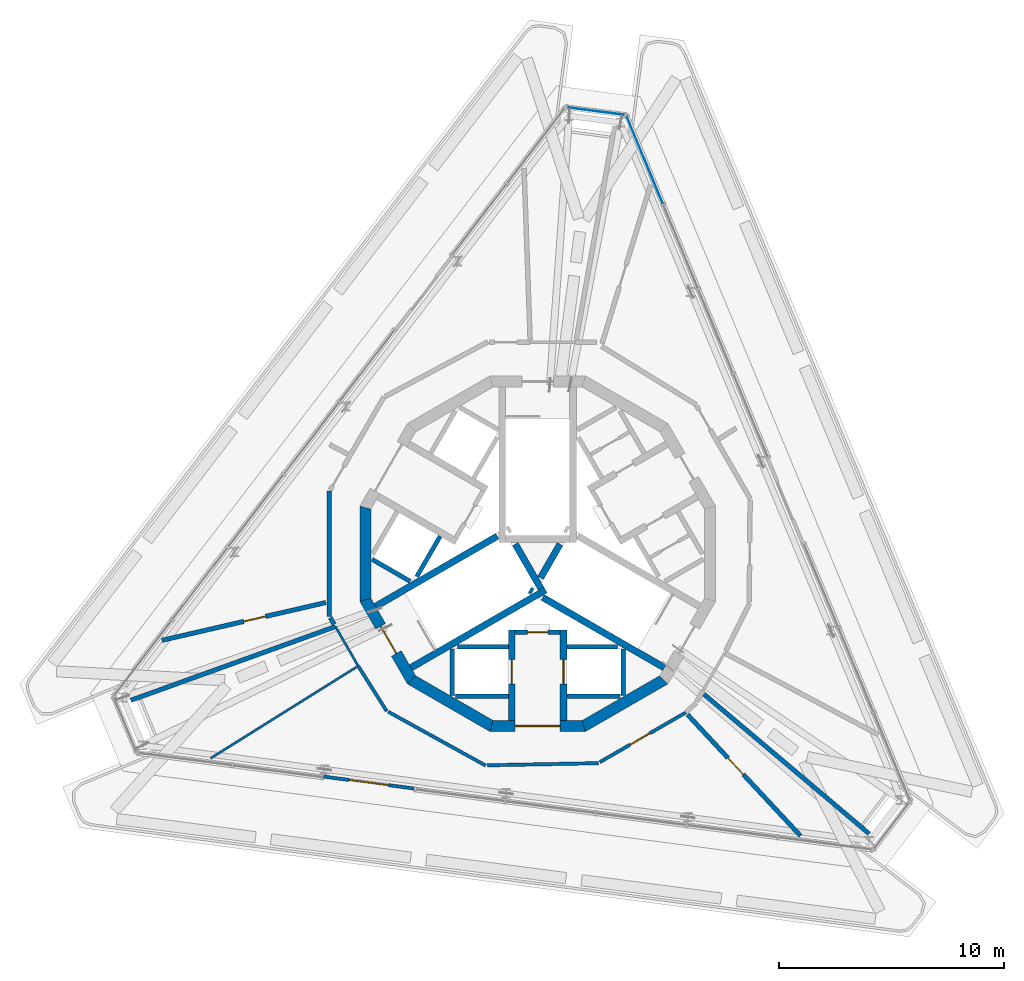
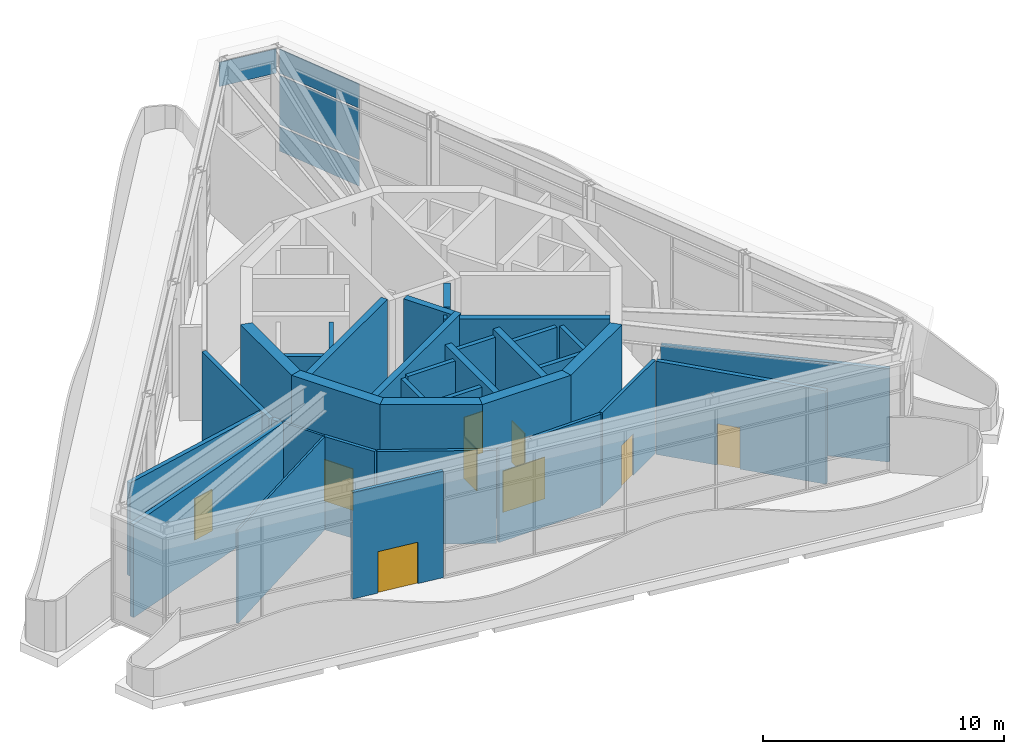
# One storey, part 7 of 10: 35 walls, 9 doors, 4 plates, 9 openings, 2 elements without a shape of their own.
"""IFC4 building model written with IfcOpenShell, lengths in metres."""

from ifc_helpers import new_model, si_unit, direction, frame, frame_2d, origin, origin_2d, place, context, subcontext, project, spatial, polyline, rectangle, outline, extrude, material, layer, layer_set, type_object, element, fill, aggregate, save


model = new_model("IFC4")

# Units and contexts
model_context = context("Model", 3, precision=1e-05, world=origin(), true_north=direction((0.0, 1.0)))
body_context = subcontext(model_context, "Body", "Model", "MODEL_VIEW")
ifc_project = project(units=[si_unit("LENGTHUNIT", "METRE"), si_unit("AREAUNIT", "SQUARE_METRE"), si_unit("VOLUMEUNIT", "CUBIC_METRE"), si_unit("PLANEANGLEUNIT", "RADIAN"), si_unit("MASSUNIT", "GRAM", prefix="KILO")], contexts=[model_context])

# Site, building, storey
site_placement = place(None, origin())
site = spatial("IfcSite", under=ifc_project, at=site_placement, CompositionType="ELEMENT")
building_placement = place(site_placement, origin())
building = spatial("IfcBuilding", under=site, at=building_placement, Name="Trine Commons Tower", CompositionType="ELEMENT")
storey_placement = place(building_placement, frame((0.0, 0.0, 300.60009765625)))
storey = spatial("IfcBuildingStorey", under=building, at=storey_placement, Name="CROWN", CompositionType="ELEMENT", Elevation=300.60009765625)

# Curtain wall, plates
ifc_material_1 = material(Name="Crown drum glazing: anodised aluminium frame with low-emissivity double glazed unit, fritted", Category="aluminium")
ifc_layer_1 = layer(ifc_material_1, 0.219970703125)
ifc_layer_set_1 = layer_set([ifc_layer_1], Name="Crown drum glazing: anodised aluminium frame with low-emissivity double glazed unit, fritted")
curtain_wall_type = type_object("IfcCurtainWallType", Name="Crown drum glazing curtain wall CW6", PredefinedType="NOTDEFINED", material=ifc_layer_set_1)
curtain_wall_1_placement = place(storey_placement, origin())
curtain_wall_1 = element("IfcCurtainWall", 1, at=curtain_wall_1_placement, inside=storey, type_object=curtain_wall_type, Name="Crown drum glazing D3.2", PredefinedType="NOTDEFINED")
ifc_material_2 = material(Name="Low-emissivity double glazed unit, fritted")
ifc_layer_2 = layer(ifc_material_2, 0.028076171875)
ifc_layer_set_2 = layer_set([ifc_layer_2], Name="Low-emissivity double glazed unit, fritted")
plate_type_1 = type_object("IfcPlateType", Name="Double glazed unit 28 mm (crown)", PredefinedType="CURTAIN_PANEL", material=ifc_layer_set_2)
plate_1_placement = place(storey_placement, frame((84.773193359375, 80.02685546875, 1.455078125), z_axis=(0.0, 0.0, 1.0), x_axis=(-0.382683432365, 0.923879532511, 0.0)))
plate_1 = element("IfcPlate", 2, at=plate_1_placement, type_object=plate_type_1, Name="CW6 panel 4.2", PredefinedType="CURTAIN_PANEL", context=body_context, shape_type="SweptSolid", body=[
    extrude(rectangle(XDim=4.16845703125, YDim=0.028076171875, at=origin_2d()), origin(), (0.0, 0.0, 1.0), 2.489990234375),
])
ifc_material_3 = material(Name="Anodised aluminium louvre blades", Category="aluminium")
ifc_layer_3 = layer(ifc_material_3, 0.10009765625)
ifc_layer_set_3 = layer_set([ifc_layer_3], Name="Anodised aluminium louvre blades")
plate_type_2 = type_object("IfcPlateType", Name="Fixed aluminium louvre panel 100", PredefinedType="CURTAIN_PANEL", material=ifc_layer_set_3)
plate_2_placement = place(storey_placement, frame((84.773193359375, 80.02685546875, 0.10986328125), z_axis=(0.0, 0.0, 1.0), x_axis=(-0.382683432365, 0.923879532511, 0.0)))
plate_2 = element("IfcPlate", 3, at=plate_2_placement, type_object=plate_type_2, Name="CW6 panel 4.1", PredefinedType="CURTAIN_PANEL", context=body_context, shape_type="SweptSolid", body=[
    extrude(rectangle(XDim=4.16845703125, YDim=0.028076171875, at=origin_2d()), origin(), (0.0, 0.0, 1.0), 1.235107421875),
])
plate_3_placement = place(storey_placement, frame((84.773193359375, 80.02685546875, 4.0546875), z_axis=(0.0, 0.0, 1.0), x_axis=(-0.382683432365, 0.923879532511, 0.0)))
plate_3 = element("IfcPlate", 4, at=plate_3_placement, type_object=plate_type_2, Name="CW6 panel 4.3", PredefinedType="CURTAIN_PANEL", context=body_context, shape_type="SweptSolid", body=[
    extrude(rectangle(XDim=4.16845703125, YDim=0.028076171875, at=origin_2d()), origin(), (0.0, 0.0, 1.0), 1.235107421875),
])
aggregate(curtain_wall_1, [plate_2, plate_1, plate_3])

# Curtain wall, plate
curtain_wall_2_placement = place(storey_placement, origin())
curtain_wall_2 = element("IfcCurtainWall", 5, at=curtain_wall_2_placement, inside=storey, type_object=curtain_wall_type, Name="Crown drum glazing D4.1", PredefinedType="NOTDEFINED")
plate_4_placement = place(storey_placement, frame((82.593994140625, 82.2041015625, 4.0546875), z_axis=(0.0, 0.0, 1.0), x_axis=(-0.991444861374, 0.13052619222, 0.0)))
plate_4 = element("IfcPlate", 6, at=plate_4_placement, type_object=plate_type_2, Name="CW6 panel 1.3", PredefinedType="CURTAIN_PANEL", context=body_context, shape_type="SweptSolid", body=[
    extrude(rectangle(XDim=2.565185546875, YDim=0.028076171875, at=origin_2d()), origin(), (0.0, 0.0, 1.0), 1.235107421875),
])
aggregate(curtain_wall_2, [plate_4])

# Walls
ifc_material_4 = material(Name="Plasterboard on steel stud", Category="steel")
ifc_layer_4 = layer(ifc_material_4, 0.14990234375)
ifc_layer_set_4 = layer_set([ifc_layer_4], Name="Plasterboard on steel stud")
wall_type_1 = type_object("IfcWallType", Name="Compartment wall 150 mm, EI 60", PredefinedType="PARTITIONING", material=ifc_layer_set_4)
wall_1_placement = place(storey_placement, frame((72.0078125, 57.501708984375, 0.0), z_axis=(0.0, 0.0, 1.0), x_axis=(0.534147216025, -0.845391478318, 0.0)))
element("IfcWall", 7, at=wall_1_placement, inside=storey, type_object=wall_type_1, Name="Partition CR009", PredefinedType="PARTITIONING", context=body_context, shape_type="SweptSolid", body=[
    extrude(rectangle(XDim=2.38232421875, YDim=0.14990234375, at=frame_2d((1.191162109375, 0.0))), origin(), (0.0, 0.0, 1.0), 4.722900390625),
])
for number, where, z_axis, x_axis, name in (
    (8, (73.345947265625, 55.463623046875, 0.0), (0.0, 0.0, 1.0), (0.875466346022, -0.483279088088, 0.0), "Partition CR010"),
    (9, (77.755615234375, 53.079345703125, 0.0), (0.0, 0.0, 1.0), (0.999815594832, 0.019203549962, 0.0), "Partition CR012"),
):
    element("IfcWall", number, at=place(storey_placement, frame(where, z_axis=z_axis, x_axis=x_axis)), inside=storey, type_object=wall_type_1, Name=name, PredefinedType="PARTITIONING", context=body_context, shape_type="SweptSolid", body=[
        extrude(rectangle(XDim=4.958251953125, YDim=0.14990234375, at=frame_2d((2.47900390625, 0.0))), origin(), (0.0, 0.0, 1.0), 4.722900390625),
    ])

# Wall, opening, door
wall_2_placement = place(storey_placement, frame((86.590576171875, 55.427001953125, 0.0), z_axis=(0.0, 0.0, 1.0), x_axis=(-0.866026296006, -0.499998454624, 0.0)))
wall_2 = element("IfcWall", 10, at=wall_2_placement, inside=storey, type_object=wall_type_1, Name="Partition CR018", PredefinedType="PARTITIONING", context=body_context, shape_type="SweptSolid", body=[
    extrude(rectangle(XDim=4.41552734375, YDim=0.14990234375, at=frame_2d((2.207763671875, 0.0))), origin(), (0.0, 0.0, 1.0), 4.722900390625),
])
opening_1_placement = place(wall_2_placement, frame((1.84765625, 0.0, 0.0)))
opening_1 = element("IfcOpeningElement", 11, at=opening_1_placement, cuts=wall_2, Name="Opening D-CR04", PredefinedType="OPENING", context=body_context, shape_type="SweptSolid", body=[
    extrude(rectangle(XDim=1.0, YDim=2.10009765625, at=frame_2d((0.5, 1.050048828125))), frame((0.0, 0.0849609375, 0.0), z_axis=(0.0, -1.0, 0.0), x_axis=(1.0, 0.0, 0.0)), (0.0, 0.0, 1.0), 0.169921875),
])
ifc_material_5 = material(Name="Timber fire door set", Category="wood")
door_type_1 = type_object("IfcDoorType", Name="Single swing door 1000x2100, FD30S", OperationType="SINGLE_SWING_LEFT", PredefinedType="DOOR", material=ifc_material_5)
door_1_placement = place(opening_1_placement, origin())
door_1 = element("IfcDoor", 12, at=door_1_placement, inside=storey, type_object=door_type_1, Name="Door D-CR04", OperationType="SINGLE_SWING_LEFT", OverallHeight=2.10009765625, OverallWidth=1.0, PredefinedType="DOOR", context=body_context, shape_type="SweptSolid", body=[
    extrude(rectangle(XDim=1.0, YDim=2.10009765625, at=frame_2d((0.5, 1.050048828125))), frame((0.0, 0.02490234375, 0.0), z_axis=(0.0, -1.0, 0.0), x_axis=(1.0, 0.0, 0.0)), (0.0, 0.0, 1.0), 0.050048828125),
])
fill(opening_1, door_1)

# Wall
ifc_layer_5 = layer(ifc_material_4, 0.199951171875)
ifc_layer_set_5 = layer_set([ifc_layer_5], Name="Plasterboard on steel stud")
wall_type_2 = type_object("IfcWallType", Name="Fire wall 200 mm, EI 120", PredefinedType="PARTITIONING", material=ifc_layer_set_5)
wall_3_placement = place(storey_placement, frame((61.8828125, 55.972900390625, 0.0), z_axis=(0.0, 0.0, 1.0), x_axis=(0.94080510637, 0.338948007558, 0.0)))
element("IfcWall", 13, at=wall_3_placement, inside=storey, type_object=wall_type_2, Name="Partition CR001", PredefinedType="PARTITIONING", context=body_context, shape_type="SweptSolid", body=[
    extrude(rectangle(XDim=9.68359375, YDim=0.199951171875, at=frame_2d((4.841796875, 0.0))), origin(), (0.0, 0.0, 1.0), 4.722900390625),
])

# Wall, opening, door
wall_4_placement = place(storey_placement, frame((63.26806640625, 58.644287109375, 0.0), z_axis=(0.0, 0.0, 1.0), x_axis=(0.974463701212, 0.224545084603, 0.0)))
wall_4 = element("IfcWall", 14, at=wall_4_placement, inside=storey, type_object=wall_type_2, Name="Partition CR002", PredefinedType="PARTITIONING", context=body_context, shape_type="SweptSolid", body=[
    extrude(rectangle(XDim=7.48583984375, YDim=0.199951171875, at=frame_2d((3.742919921875, 0.0))), origin(), (0.0, 0.0, 1.0), 4.722900390625),
])
opening_2_placement = place(wall_4_placement, frame((3.738525390625, 0.0, 0.0)))
opening_2 = element("IfcOpeningElement", 15, at=opening_2_placement, cuts=wall_4, Name="Opening D-CR01", PredefinedType="OPENING", context=body_context, shape_type="SweptSolid", body=[
    extrude(rectangle(XDim=1.0, YDim=2.10009765625, at=frame_2d((0.5, 1.050048828125))), frame((0.0, 0.10986328125, 0.0), z_axis=(0.0, -1.0, 0.0), x_axis=(1.0, 0.0, 0.0)), (0.0, 0.0, 1.0), 0.219970703125),
])
door_type_2 = type_object("IfcDoorType", Name="Single swing door 1000x2100, FD60", OperationType="SINGLE_SWING_LEFT", PredefinedType="DOOR", material=ifc_material_5)
door_2_placement = place(opening_2_placement, origin())
door_2 = element("IfcDoor", 16, at=door_2_placement, inside=storey, type_object=door_type_2, Name="Door D-CR01", OperationType="SINGLE_SWING_LEFT", OverallHeight=2.10009765625, OverallWidth=1.0, PredefinedType="DOOR", context=body_context, shape_type="SweptSolid", body=[
    extrude(rectangle(XDim=1.0, YDim=2.10009765625, at=frame_2d((0.5, 1.050048828125))), frame((0.0, 0.02490234375, 0.0), z_axis=(0.0, -1.0, 0.0), x_axis=(1.0, 0.0, 0.0)), (0.0, 0.0, 1.0), 0.050048828125),
])
fill(opening_2, door_2)

# Walls
wall_5_placement = place(storey_placement, frame((70.72119140625, 59.706298828125, 0.0), z_axis=(0.0, 0.0, 1.0), x_axis=(0.0, 1.0, 0.0)))
element("IfcWall", 17, at=wall_5_placement, inside=storey, type_object=wall_type_2, Name="Partition CR004", PredefinedType="PARTITIONING", context=body_context, shape_type="SweptSolid", body=[
    extrude(rectangle(XDim=5.58740234375, YDim=0.199951171875, at=frame_2d((2.793701171875, 0.0))), origin(), (0.0, 0.0, 1.0), 4.722900390625),
])
wall_6_placement = place(storey_placement, frame((70.76611328125, 59.652587890625, 0.0), z_axis=(0.0, 0.0, 1.0), x_axis=(0.49955578997, -0.866281716711, 0.0)))
element("IfcWall", 18, at=wall_6_placement, inside=storey, type_object=wall_type_2, Name="Partition CR005", PredefinedType="PARTITIONING", context=body_context, shape_type="SweptSolid", body=[
    extrude(rectangle(XDim=0.338134765625, YDim=0.199951171875, at=frame_2d((0.1689453125, 0.0))), origin(), (0.0, 0.0, 1.0), 4.722900390625),
])

# Wall, opening, door
wall_7_placement = place(storey_placement, frame((91.705078125, 49.937744140625, 0.0), z_axis=(0.0, 0.0, 1.0), x_axis=(-0.681713118936, 0.731619589316, 0.0)))
wall_7 = element("IfcWall", 19, at=wall_7_placement, inside=storey, type_object=wall_type_2, Name="Partition CR022", PredefinedType="PARTITIONING", context=body_context, shape_type="SweptSolid", body=[
    extrude(rectangle(XDim=7.377197265625, YDim=0.199951171875, at=frame_2d((3.6884765625, 0.0))), origin(), (0.0, 0.0, 1.0), 4.722900390625),
])
opening_3_placement = place(wall_7_placement, frame((3.738525390625, 0.0, 0.0)))
opening_3 = element("IfcOpeningElement", 20, at=opening_3_placement, cuts=wall_7, Name="Opening D-CR06", PredefinedType="OPENING", context=body_context, shape_type="SweptSolid", body=[
    extrude(rectangle(XDim=1.0, YDim=2.10009765625, at=frame_2d((0.5, 1.050048828125))), frame((0.0, 0.10986328125, 0.0), z_axis=(0.0, -1.0, 0.0), x_axis=(1.0, 0.0, 0.0)), (0.0, 0.0, 1.0), 0.219970703125),
])
door_3_placement = place(opening_3_placement, origin())
door_3 = element("IfcDoor", 21, at=door_3_placement, inside=storey, type_object=door_type_2, Name="Door D-CR06", OperationType="SINGLE_SWING_LEFT", OverallHeight=2.10009765625, OverallWidth=1.0, PredefinedType="DOOR", context=body_context, shape_type="SweptSolid", body=[
    extrude(rectangle(XDim=1.0, YDim=2.10009765625, at=frame_2d((0.5, 1.050048828125))), frame((0.0, 0.02490234375, 0.0), z_axis=(0.0, -1.0, 0.0), x_axis=(1.0, 0.0, 0.0)), (0.0, 0.0, 1.0), 0.050048828125),
])
fill(opening_3, door_3)

# Wall
wall_8_placement = place(storey_placement, frame((87.405029296875, 56.2451171875, 0.0), z_axis=(0.0, 0.0, 1.0), x_axis=(0.763925022801, -0.645305012795, 0.0)))
element("IfcWall", 22, at=wall_8_placement, inside=storey, type_object=wall_type_2, Name="Partition CR026", PredefinedType="PARTITIONING", context=body_context, shape_type="SweptSolid", body=[
    extrude(rectangle(XDim=9.638427734375, YDim=0.199951171875, at=frame_2d((4.8193359375, 0.0))), origin(), (0.0, 0.0, 1.0), 4.722900390625),
])

# Wall, opening, door
ifc_material_6 = material(Name="Fire-rated gypsum shaft wall system")
ifc_layer_6 = layer(ifc_material_6, 0.199951171875)
ifc_layer_set_6 = layer_set([ifc_layer_6], Name="Fire-rated gypsum shaft wall system")
wall_type_3 = type_object("IfcWallType", Name="Lobby end wall 200 mm, EI 120", PredefinedType="PARTITIONING", material=ifc_layer_set_6)
wall_9_placement = place(storey_placement, frame((79.0, 59.0, 0.0), z_axis=(0.0, 0.0, 1.0), x_axis=(1.0, 0.0, 0.0)))
wall_9 = element("IfcWall", 23, at=wall_9_placement, inside=storey, type_object=wall_type_3, Name="Lobby end wall CROWN", PredefinedType="PARTITIONING", context=body_context, shape_type="SweptSolid", body=[
    extrude(rectangle(XDim=2.0, YDim=0.199951171875, at=frame_2d((1.0, 0.0))), origin(), (0.0, 0.0, 1.0), 5.699951171875),
])
opening_4_placement = place(wall_9_placement, frame((0.550048828125, 0.0, 0.0)))
opening_4 = element("IfcOpeningElement", 24, at=opening_4_placement, cuts=wall_9, Name="Opening K20.09", PredefinedType="OPENING", context=body_context, shape_type="SweptSolid", body=[
    extrude(rectangle(XDim=0.89990234375, YDim=2.10009765625, at=frame_2d((0.449951171875, 1.050048828125))), frame((0.0, 0.10986328125, 0.0), z_axis=(0.0, -1.0, 0.0), x_axis=(1.0, 0.0, 0.0)), (0.0, 0.0, 1.0), 0.219970703125),
])
ifc_material_7 = material(Name="Steel door leaf, fire-rated", Category="steel")
door_type_3 = type_object("IfcDoorType", Name="Riser access door, single leaf 900 x 2100, FD60", OperationType="SINGLE_SWING_LEFT", PredefinedType="DOOR", material=ifc_material_7)
door_4_placement = place(opening_4_placement, frame((0.89990234375, 0.0, 0.0), z_axis=(0.0, 0.0, 1.0), x_axis=(-1.0, 0.0, 0.0)))
door_4 = element("IfcDoor", 25, at=door_4_placement, inside=storey, type_object=door_type_3, Name="Riser door, Communications riser CROWN", OperationType="SINGLE_SWING_RIGHT", OverallHeight=2.10009765625, OverallWidth=0.89990234375, PredefinedType="DOOR", context=body_context, shape_type="SweptSolid", body=[
    extrude(rectangle(XDim=0.89990234375, YDim=2.10009765625, at=frame_2d((0.449951171875, 1.050048828125))), frame((0.0, 0.02490234375, 0.0), z_axis=(0.0, -1.0, 0.0), x_axis=(1.0, 0.0, 0.0)), (0.0, 0.0, 1.0), 0.050048828125),
])
fill(opening_4, door_4)

# Walls
ifc_layer_7 = layer(ifc_material_4, 0.10009765625)
ifc_layer_set_7 = layer_set([ifc_layer_7], Name="Plasterboard on steel stud")
wall_type_4 = type_object("IfcWallType", Name="Partition wall 100 mm stud, not rated", PredefinedType="PARTITIONING", material=ifc_layer_set_7)
wall_10_placement = place(storey_placement, frame((65.442138671875, 53.395263671875, 0.0), z_axis=(0.0, 0.0, 1.0), x_axis=(0.847847966363, 0.530239404358, 0.0)))
element("IfcWall", 26, at=wall_10_placement, inside=storey, type_object=wall_type_4, Name="Partition CR003", PredefinedType="PARTITIONING", context=body_context, shape_type="SweptSolid", body=[
    extrude(rectangle(XDim=7.665283203125, YDim=0.10009765625, at=frame_2d((3.83251953125, 0.0))), origin(), (0.0, 0.0, 1.0), 4.722900390625),
])
wall_11_placement = place(storey_placement, frame((70.99609375, 59.254150390625, 0.0), z_axis=(0.0, 0.0, 1.0), x_axis=(0.499983806564, -0.866034752867, 0.0)))
element("IfcWall", 27, at=wall_11_placement, inside=storey, type_object=wall_type_4, Name="Partition CR008", PredefinedType="PARTITIONING", context=body_context, shape_type="SweptSolid", body=[
    extrude(rectangle(XDim=2.021484375, YDim=0.10009765625, at=frame_2d((1.0107421875, 0.0))), origin(), (0.0, 0.0, 1.0), 4.722900390625),
])

# Wall, opening, door
ifc_material_8 = material(Name="Aluminium-framed insulated wall panel", Category="aluminium")
ifc_layer_8 = layer(ifc_material_8, 0.14990234375)
ifc_layer_set_8 = layer_set([ifc_layer_8], Name="Aluminium-framed insulated wall panel")
wall_type_5 = type_object("IfcWallType", Name="Plant access wall 150, EI 60", PredefinedType="SOLIDWALL", material=ifc_layer_set_8)
wall_12_placement = place(storey_placement, frame((70.462158203125, 52.577880859375, 0.0), z_axis=(0.0, 0.0, 1.0), x_axis=(0.991449611107, -0.130490109337, 0.0)))
wall_12 = element("IfcWall", 28, at=wall_12_placement, inside=storey, type_object=wall_type_5, Name="Plant access wall D1 3", PredefinedType="SOLIDWALL", context=body_context, shape_type="SweptSolid", body=[
    extrude(rectangle(XDim=4.08056640625, YDim=0.14990234375, at=frame_2d((2.040283203125, 0.0))), origin(), (0.0, 0.0, 1.0), 5.39990234375),
])
opening_5_placement = place(wall_12_placement, frame((1.140380859375, 0.0, 0.0)))
opening_5 = element("IfcOpeningElement", 29, at=opening_5_placement, cuts=wall_12, Name="Opening PD-D1-03", PredefinedType="OPENING", context=body_context, shape_type="SweptSolid", body=[
    extrude(rectangle(XDim=1.800048828125, YDim=2.10009765625, at=frame_2d((0.89990234375, 1.050048828125))), frame((0.0, 0.0849609375, 0.0), z_axis=(0.0, -1.0, 0.0), x_axis=(1.0, 0.0, 0.0)), (0.0, 0.0, 1.0), 0.169921875),
])
ifc_material_9 = material(Name="Powder-coated steel", Category="steel")
door_type_4 = type_object("IfcDoorType", Name="Steel double door 1800x2100, FD60", OperationType="DOUBLE_DOOR_DOUBLE_SWING", PredefinedType="DOOR", material=ifc_material_9)
door_5_placement = place(opening_5_placement, origin())
door_5 = element("IfcDoor", 30, at=door_5_placement, inside=storey, type_object=door_type_4, Name="Plant access door D1 3", OperationType="DOUBLE_DOOR_DOUBLE_SWING", OverallHeight=2.10009765625, OverallWidth=1.800048828125, PredefinedType="DOOR", context=body_context, shape_type="SweptSolid", body=[
    extrude(rectangle(XDim=1.800048828125, YDim=2.10009765625, at=frame_2d((0.89990234375, 1.050048828125))), frame((0.0, 0.02490234375, 0.0), z_axis=(0.0, -1.0, 0.0), x_axis=(1.0, 0.0, 0.0)), (0.0, 0.0, 1.0), 0.050048828125),
])
fill(opening_5, door_5)

ifc_material_10 = material(Name="Concrete C50/60", Category="concrete")
ifc_layer_9 = layer(ifc_material_10, 0.300048828125)
ifc_layer_set_9 = layer_set([ifc_layer_9], Name="Concrete C50/60")
wall_type_6 = type_object("IfcWallType", Name="RC shear wall 300 mm, C50/60", PredefinedType="SHEAR", material=ifc_layer_set_9)
wall_13_placement = place(storey_placement, frame((78.85009765625, 59.10009765625, 0.0), z_axis=(0.0, 0.0, 1.0), x_axis=(0.0, -1.0, 0.0)))
wall_13 = element("IfcWall", 31, at=wall_13_placement, inside=storey, type_object=wall_type_6, Name="Core cross wall SWD-03 CROWN", PredefinedType="SHEAR", context=body_context, shape_type="SweptSolid", body=[
    extrude(rectangle(XDim=4.02099609375, YDim=0.300048828125, at=frame_2d((2.010498046875, 0.0))), origin(), (0.0, 0.0, 1.0), 6.0),
])
opening_6_placement = place(wall_13_placement, frame((1.300048828125, 0.0, 0.0)))
opening_6 = element("IfcOpeningElement", 32, at=opening_6_placement, cuts=wall_13, Name="Opening LD10", PredefinedType="OPENING", context=body_context, shape_type="SweptSolid", body=[
    extrude(rectangle(XDim=1.10009765625, YDim=2.10009765625, at=frame_2d((0.550048828125, 1.050048828125))), frame((0.0, 0.159912109375, 0.0), z_axis=(0.0, -1.0, 0.0), x_axis=(1.0, 0.0, 0.0)), (0.0, 0.0, 1.0), 0.320068359375),
])
ifc_material_11 = material(Name="Stainless steel sliding door leaves", Category="steel")
door_type_5 = type_object("IfcDoorType", Name="Lift landing door, centre-opening sliding 1100 x 2100, FD90", OperationType="DOUBLE_DOOR_SLIDING", PredefinedType="DOOR", material=ifc_material_11)
door_6_placement = place(opening_6_placement, origin())
door_6 = element("IfcDoor", 33, at=door_6_placement, inside=storey, type_object=door_type_5, Name="Lift landing door FF2 CROWN", OperationType="DOUBLE_DOOR_SLIDING", OverallHeight=2.10009765625, OverallWidth=1.10009765625, PredefinedType="DOOR", context=body_context, shape_type="SweptSolid", body=[
    extrude(rectangle(XDim=1.10009765625, YDim=2.10009765625, at=frame_2d((0.550048828125, 1.050048828125))), frame((0.0, 0.02490234375, 0.0), z_axis=(0.0, -1.0, 0.0), x_axis=(1.0, 0.0, 0.0)), (0.0, 0.0, 1.0), 0.050048828125),
])
fill(opening_6, door_6)

wall_14_placement = place(storey_placement, frame((81.14990234375, 59.10009765625, 0.0), z_axis=(0.0, 0.0, 1.0), x_axis=(0.0, -1.0, 0.0)))
wall_14 = element("IfcWall", 34, at=wall_14_placement, inside=storey, type_object=wall_type_6, Name="Core cross wall SWD-04 CROWN", PredefinedType="SHEAR", context=body_context, shape_type="SweptSolid", body=[
    extrude(rectangle(XDim=4.02099609375, YDim=0.300048828125, at=frame_2d((2.010498046875, 0.0))), origin(), (0.0, 0.0, 1.0), 6.0),
])
opening_7_placement = place(wall_14_placement, frame((1.300048828125, 0.0, 0.0)))
opening_7 = element("IfcOpeningElement", 35, at=opening_7_placement, cuts=wall_14, Name="Opening LD9", PredefinedType="OPENING", context=body_context, shape_type="SweptSolid", body=[
    extrude(rectangle(XDim=1.10009765625, YDim=2.10009765625, at=frame_2d((0.550048828125, 1.050048828125))), frame((0.0, 0.159912109375, 0.0), z_axis=(0.0, -1.0, 0.0), x_axis=(1.0, 0.0, 0.0)), (0.0, 0.0, 1.0), 0.320068359375),
])
door_7_placement = place(opening_7_placement, origin())
door_7 = element("IfcDoor", 36, at=door_7_placement, inside=storey, type_object=door_type_5, Name="Lift landing door FF1 CROWN", OperationType="DOUBLE_DOOR_SLIDING", OverallHeight=2.10009765625, OverallWidth=1.10009765625, PredefinedType="DOOR", context=body_context, shape_type="SweptSolid", body=[
    extrude(rectangle(XDim=1.10009765625, YDim=2.10009765625, at=frame_2d((0.550048828125, 1.050048828125))), frame((0.0, 0.02490234375, 0.0), z_axis=(0.0, -1.0, 0.0), x_axis=(1.0, 0.0, 0.0)), (0.0, 0.0, 1.0), 0.050048828125),
])
fill(opening_7, door_7)

# Walls
wall_15_placement = place(storey_placement, frame((78.199951171875, 63.280029296875, 0.0), z_axis=(0.0, 0.0, 1.0), x_axis=(-0.866013897511, -0.50001992892, 0.0)))
element("IfcWall", 37, at=wall_15_placement, inside=storey, type_object=wall_type_6, Name="Core cross wall SWD-07 CROWN", PredefinedType="SHEAR", context=body_context, shape_type="SweptSolid", body=[
    extrude(rectangle(XDim=6.251708984375, YDim=0.300048828125, at=frame_2d((3.1259765625, 0.0))), origin(), (0.0, 0.0, 1.0), 6.0),
])
wall_16_placement = place(storey_placement, frame((79.0029296875, 62.926025390625, 0.0), z_axis=(0.0, 0.0, 1.0), x_axis=(0.499965247104, -0.866045467449, 0.0)))
element("IfcWall", 38, at=wall_16_placement, inside=storey, type_object=wall_type_6, Name="Core cross wall SWD-10 CROWN", PredefinedType="SHEAR", context=body_context, shape_type="SweptSolid", body=[
    extrude(rectangle(XDim=2.292236328125, YDim=0.300048828125, at=frame_2d((1.14599609375, 0.0))), origin(), (0.0, 0.0, 1.0), 6.0),
])
wall_17_placement = place(storey_placement, frame((79.64599609375, 60.885986328125, 0.0), z_axis=(0.0, 0.0, 1.0), x_axis=(0.867331893649, -0.497730234424, 0.0)))
element("IfcWall", 39, at=wall_17_placement, inside=storey, type_object=wall_type_6, Name="Core cross wall SWD-11 CROWN", PredefinedType="SHEAR", context=body_context, shape_type="SweptSolid", body=[
    extrude(rectangle(XDim=0.148681640625, YDim=0.300048828125, at=frame_2d((0.07421875, 0.0))), origin(), (0.0, 0.0, 1.0), 6.0),
])
wall_18_placement = place(storey_placement, frame((80.1298828125, 61.424072265625, 0.0), z_axis=(0.0, 0.0, 1.0), x_axis=(0.500014901547, 0.866016800201, 0.0)))
element("IfcWall", 40, at=wall_18_placement, inside=storey, type_object=wall_type_6, Name="Core cross wall SWD-12 CROWN", PredefinedType="SHEAR", context=body_context, shape_type="SweptSolid", body=[
    extrude(rectangle(XDim=1.734375, YDim=0.300048828125, at=frame_2d((0.8671875, 0.0))), origin(), (0.0, 0.0, 1.0), 6.0),
])
wall_19_placement = place(storey_placement, frame((80.22509765625, 60.552001953125, 0.0), z_axis=(0.0, 0.0, 1.0), x_axis=(0.866004133274, -0.500036839795, 0.0)))
element("IfcWall", 41, at=wall_19_placement, inside=storey, type_object=wall_type_6, Name="Core cross wall SWD-13 CROWN", PredefinedType="SHEAR", context=body_context, shape_type="SweptSolid", body=[
    extrude(rectangle(XDim=6.25146484375, YDim=0.300048828125, at=frame_2d((3.125732421875, 0.0))), origin(), (0.0, 0.0, 1.0), 6.0),
])
wall_20_placement = place(storey_placement, frame((80.35400390625, 60.885986328125, 0.0), z_axis=(0.0, 0.0, 1.0), x_axis=(-0.86602871973, -0.49999425657, 0.0)))
element("IfcWall", 42, at=wall_20_placement, inside=storey, type_object=wall_type_6, Name="Core cross wall SWD-14 CROWN", PredefinedType="SHEAR", context=body_context, shape_type="SweptSolid", body=[
    extrude(rectangle(XDim=6.919921875, YDim=0.300048828125, at=frame_2d((3.4599609375, 0.0))), origin(), (0.0, 0.0, 1.0), 6.0),
])
ifc_layer_10 = layer(ifc_material_10, 0.5)
ifc_layer_set_10 = layer_set([ifc_layer_10], Name="Concrete C50/60")
wall_type_7 = type_object("IfcWallType", Name="RC shear wall 500 mm, C50/60", PredefinedType="SHEAR", material=ifc_layer_set_10)
wall_21_placement = place(storey_placement, frame((72.329345703125, 64.622314453125, 0.0), z_axis=(0.0, 0.0, 1.0), x_axis=(0.0, -1.0, 0.0)))
element("IfcWall", 43, at=wall_21_placement, inside=storey, type_object=wall_type_7, Name="Core wall CWH-07 CROWN", PredefinedType="SHEAR", context=body_context, shape_type="SweptSolid", body=[
    extrude(outline(polyline([(0.0, -0.25), (4.24462890625, -0.25), (4.110595703125, 0.25), (0.134033203125, 0.25), (0.0, -0.25)])), origin(), (0.0, 0.0, 1.0), 6.0),
])

# Wall, opening, door
wall_22_placement = place(storey_placement, frame((72.2958984375, 60.502685546875, 0.0), z_axis=(0.0, 0.0, 1.0), x_axis=(0.499992968425, -0.866029463428, 0.0)))
wall_22 = element("IfcWall", 44, at=wall_22_placement, inside=storey, type_object=wall_type_7, Name="Core wall CWH-08 CROWN", PredefinedType="SHEAR", context=body_context, shape_type="SweptSolid", body=[
    extrude(outline(polyline([(0.0, -0.25), (4.24462890625, -0.25), (4.110595703125, 0.25), (0.134033203125, 0.25), (0.0, -0.25)])), origin(), (0.0, 0.0, 1.0), 6.0),
])
opening_8_placement = place(wall_22_placement, frame((1.42236328125, 0.0, 0.0)))
opening_8 = element("IfcOpeningElement", 45, at=opening_8_placement, cuts=wall_22, Name="Opening K20.02", PredefinedType="OPENING", context=body_context, shape_type="SweptSolid", body=[
    extrude(rectangle(XDim=1.39990234375, YDim=2.10009765625, at=frame_2d((0.699951171875, 1.050048828125))), frame((0.0, 0.260009765625, 0.0), z_axis=(0.0, -1.0, 0.0), x_axis=(1.0, 0.0, 0.0)), (0.0, 0.0, 1.0), 0.52001953125),
])
ifc_material_12 = material(Name="Steel door leaves, fire-rated", Category="steel")
door_type_6 = type_object("IfcDoorType", Name="Stair door, double leaf 1400 x 2100, FD90", OperationType="DOUBLE_DOOR_SINGLE_SWING", PredefinedType="DOOR", material=ifc_material_12)
door_8_placement = place(opening_8_placement, origin())
door_8 = element("IfcDoor", 46, at=door_8_placement, inside=storey, type_object=door_type_6, Name="Stair door to Exit stair ST2D CROWN", OperationType="DOUBLE_DOOR_SINGLE_SWING", OverallHeight=2.10009765625, OverallWidth=1.39990234375, PredefinedType="DOOR", context=body_context, shape_type="SweptSolid", body=[
    extrude(rectangle(XDim=1.39990234375, YDim=2.10009765625, at=frame_2d((0.699951171875, 1.050048828125))), frame((0.0, 0.02490234375, 0.0), z_axis=(0.0, -1.0, 0.0), x_axis=(1.0, 0.0, 0.0)), (0.0, 0.0, 1.0), 0.050048828125),
])
fill(opening_8, door_8)

# Wall
wall_23_placement = place(storey_placement, frame((74.32666015625, 56.918212890625, 0.0), z_axis=(0.0, 0.0, 1.0), x_axis=(0.866029463428, -0.499992968425, 0.0)))
element("IfcWall", 47, at=wall_23_placement, inside=storey, type_object=wall_type_7, Name="Core wall CWH-09 CROWN", PredefinedType="SHEAR", context=body_context, shape_type="SweptSolid", body=[
    extrude(outline(polyline([(0.0, -0.25), (4.24462890625, -0.25), (4.110595703125, 0.25), (0.134033203125, 0.25), (0.0, -0.25)])), origin(), (0.0, 0.0, 1.0), 6.0),
])

# Wall, opening, door
wall_24_placement = place(storey_placement, frame((77.877685546875, 54.829345703125, 0.0), z_axis=(0.0, 0.0, 1.0), x_axis=(1.0, 0.0, 0.0)))
wall_24 = element("IfcWall", 48, at=wall_24_placement, inside=storey, type_object=wall_type_7, Name="Core wall CWH-10 CROWN", PredefinedType="SHEAR", context=body_context, shape_type="SweptSolid", body=[
    extrude(outline(polyline([(0.0, -0.25), (4.24462890625, -0.25), (4.110595703125, 0.25), (0.134033203125, 0.25), (0.0, -0.25)])), origin(), (0.0, 0.0, 1.0), 6.0),
])
opening_9_placement = place(wall_24_placement, frame((1.122314453125, 0.0, 0.0)))
opening_9 = element("IfcOpeningElement", 49, at=opening_9_placement, cuts=wall_24, Name="Opening K20.08", PredefinedType="OPENING", context=body_context, shape_type="SweptSolid", body=[
    extrude(rectangle(XDim=2.0, YDim=2.10009765625, at=frame_2d((1.0, 1.050048828125))), frame((0.0, 0.260009765625, 0.0), z_axis=(0.0, -1.0, 0.0), x_axis=(1.0, 0.0, 0.0)), (0.0, 0.0, 1.0), 0.52001953125),
])
door_type_7 = type_object("IfcDoorType", Name="Lobby door, double leaf 2000 x 2100, FD60", OperationType="DOUBLE_DOOR_SINGLE_SWING", PredefinedType="DOOR", material=ifc_material_12)
door_9_placement = place(opening_9_placement, origin())
door_9 = element("IfcDoor", 50, at=door_9_placement, inside=storey, type_object=door_type_7, Name="Lobby door, Service and firefighting lobby CROWN", OperationType="DOUBLE_DOOR_SINGLE_SWING", OverallHeight=2.10009765625, OverallWidth=2.0, PredefinedType="DOOR", context=body_context, shape_type="SweptSolid", body=[
    extrude(rectangle(XDim=2.0, YDim=2.10009765625, at=frame_2d((1.0, 1.050048828125))), frame((0.0, 0.02490234375, 0.0), z_axis=(0.0, -1.0, 0.0), x_axis=(1.0, 0.0, 0.0)), (0.0, 0.0, 1.0), 0.050048828125),
])
fill(opening_9, door_9)

# Walls
wall_25_placement = place(storey_placement, frame((81.997314453125, 54.7958984375, 0.0), z_axis=(0.0, 0.0, 1.0), x_axis=(0.866029463428, 0.499992968425, 0.0)))
element("IfcWall", 51, at=wall_25_placement, inside=storey, type_object=wall_type_7, Name="Core wall CWH-11 CROWN", PredefinedType="SHEAR", context=body_context, shape_type="SweptSolid", body=[
    extrude(outline(polyline([(0.0, -0.25), (4.24462890625, -0.25), (4.110595703125, 0.25), (0.134033203125, 0.25), (0.0, -0.25)])), origin(), (0.0, 0.0, 1.0), 6.0),
])
ifc_layer_11 = layer(ifc_material_6, 0.199951171875)
ifc_layer_set_11 = layer_set([ifc_layer_11], Name="Fire-rated gypsum shaft wall system")
wall_type_8 = type_object("IfcWallType", Name="Shaft wall 200 mm, EI 120", PredefinedType="PARTITIONING", material=ifc_layer_set_11)
wall_26_placement = place(storey_placement, frame((74.324951171875, 61.27294921875, 0.0), z_axis=(0.0, 0.0, 1.0), x_axis=(-0.86585547495, 0.500294209939, 0.0)))
element("IfcWall", 52, at=wall_26_placement, inside=storey, type_object=wall_type_8, Name="Shaft wall CROWN", PredefinedType="PARTITIONING", context=body_context, shape_type="SweptSolid", body=[
    extrude(rectangle(XDim=1.958740234375, YDim=0.199951171875, at=frame_2d((0.9794921875, 0.0))), origin(), (0.0, 0.0, 1.0), 5.699951171875),
])
wall_27_placement = place(storey_placement, frame((75.656005859375, 63.27587890625, 0.0), z_axis=(0.0, 0.0, 1.0), x_axis=(-0.500271688072, -0.86586848777, 0.0)))
element("IfcWall", 53, at=wall_27_placement, inside=storey, type_object=wall_type_8, Name="Shaft wall CROWN", PredefinedType="PARTITIONING", context=body_context, shape_type="SweptSolid", body=[
    extrude(rectangle(XDim=2.064697265625, YDim=0.199951171875, at=frame_2d((1.0322265625, 0.0))), origin(), (0.0, 0.0, 1.0), 5.699951171875),
])
wall_28_placement = place(storey_placement, frame((76.199951171875, 58.257080078125, 0.0), z_axis=(0.0, 0.0, 1.0), x_axis=(0.0, -1.0, 0.0)))
element("IfcWall", 54, at=wall_28_placement, inside=storey, type_object=wall_type_8, Name="Shaft wall CROWN", PredefinedType="PARTITIONING", context=body_context, shape_type="SweptSolid", body=[
    extrude(rectangle(XDim=2.073974609375, YDim=0.199951171875, at=frame_2d((1.037109375, 0.0))), origin(), (0.0, 0.0, 1.0), 5.699951171875),
])
wall_29_placement = place(storey_placement, frame((78.699951171875, 56.14990234375, 0.0), z_axis=(0.0, 0.0, 1.0), x_axis=(-1.0, 0.0, 0.0)))
element("IfcWall", 55, at=wall_29_placement, inside=storey, type_object=wall_type_8, Name="Shaft wall CROWN", PredefinedType="PARTITIONING", context=body_context, shape_type="SweptSolid", body=[
    extrude(rectangle(XDim=2.368896484375, YDim=0.199951171875, at=frame_2d((1.1845703125, 0.0))), origin(), (0.0, 0.0, 1.0), 5.699951171875),
])
wall_30_placement = place(storey_placement, frame((78.699951171875, 58.35009765625, 0.0), z_axis=(0.0, 0.0, 1.0), x_axis=(-1.0, 0.0, 0.0)))
element("IfcWall", 56, at=wall_30_placement, inside=storey, type_object=wall_type_8, Name="Shaft wall CROWN", PredefinedType="PARTITIONING", context=body_context, shape_type="SweptSolid", body=[
    extrude(rectangle(XDim=2.264892578125, YDim=0.199951171875, at=frame_2d((1.13232421875, 0.0))), origin(), (0.0, 0.0, 1.0), 5.699951171875),
])
wall_31_placement = place(storey_placement, frame((81.300048828125, 56.14990234375, 0.0), z_axis=(0.0, 0.0, 1.0), x_axis=(1.0, 0.0, 0.0)))
element("IfcWall", 57, at=wall_31_placement, inside=storey, type_object=wall_type_8, Name="Shaft wall CROWN", PredefinedType="PARTITIONING", context=body_context, shape_type="SweptSolid", body=[
    extrude(rectangle(XDim=2.368896484375, YDim=0.199951171875, at=frame_2d((1.1845703125, 0.0))), origin(), (0.0, 0.0, 1.0), 5.699951171875),
])
wall_32_placement = place(storey_placement, frame((81.300048828125, 58.35009765625, 0.0), z_axis=(0.0, 0.0, 1.0), x_axis=(1.0, 0.0, 0.0)))
element("IfcWall", 58, at=wall_32_placement, inside=storey, type_object=wall_type_8, Name="Shaft wall CROWN", PredefinedType="PARTITIONING", context=body_context, shape_type="SweptSolid", body=[
    extrude(rectangle(XDim=2.264892578125, YDim=0.199951171875, at=frame_2d((1.13232421875, 0.0))), origin(), (0.0, 0.0, 1.0), 5.699951171875),
])
wall_33_placement = place(storey_placement, frame((83.800048828125, 58.257080078125, 0.0), z_axis=(0.0, 0.0, 1.0), x_axis=(0.0, -1.0, 0.0)))
element("IfcWall", 59, at=wall_33_placement, inside=storey, type_object=wall_type_8, Name="Shaft wall CROWN", PredefinedType="PARTITIONING", context=body_context, shape_type="SweptSolid", body=[
    extrude(rectangle(XDim=2.073974609375, YDim=0.199951171875, at=frame_2d((1.037109375, 0.0))), origin(), (0.0, 0.0, 1.0), 5.699951171875),
])

save(model, "model.ifc")
